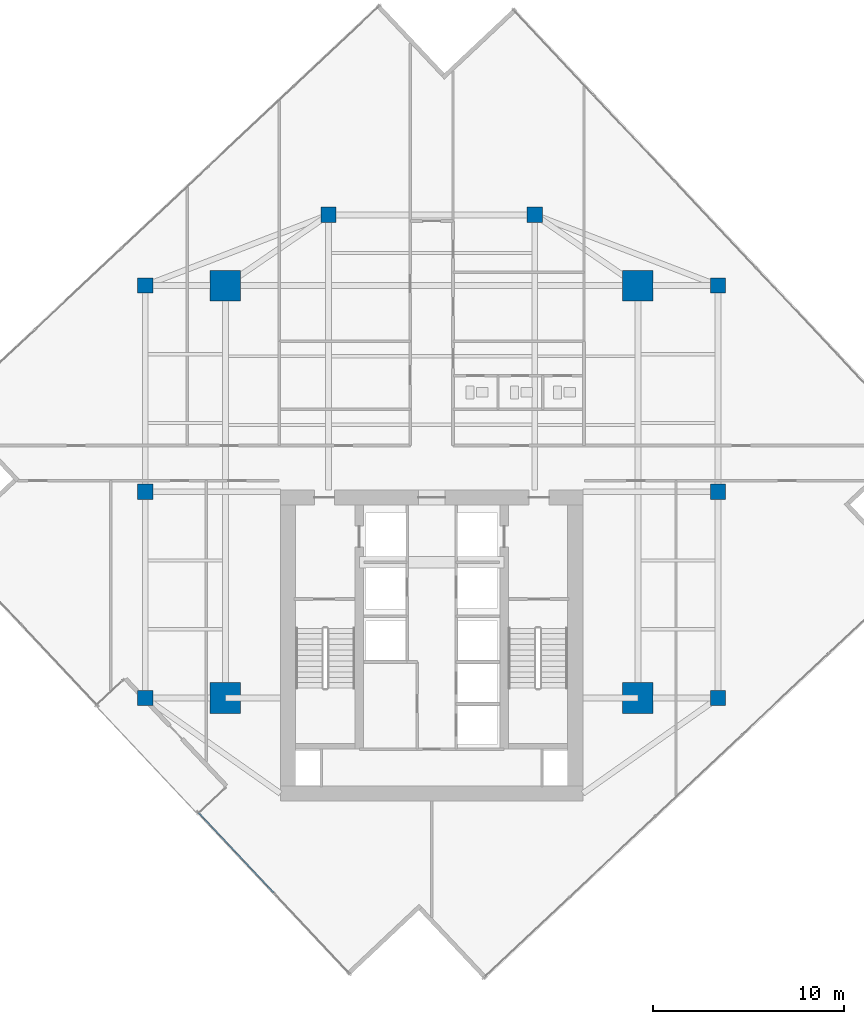
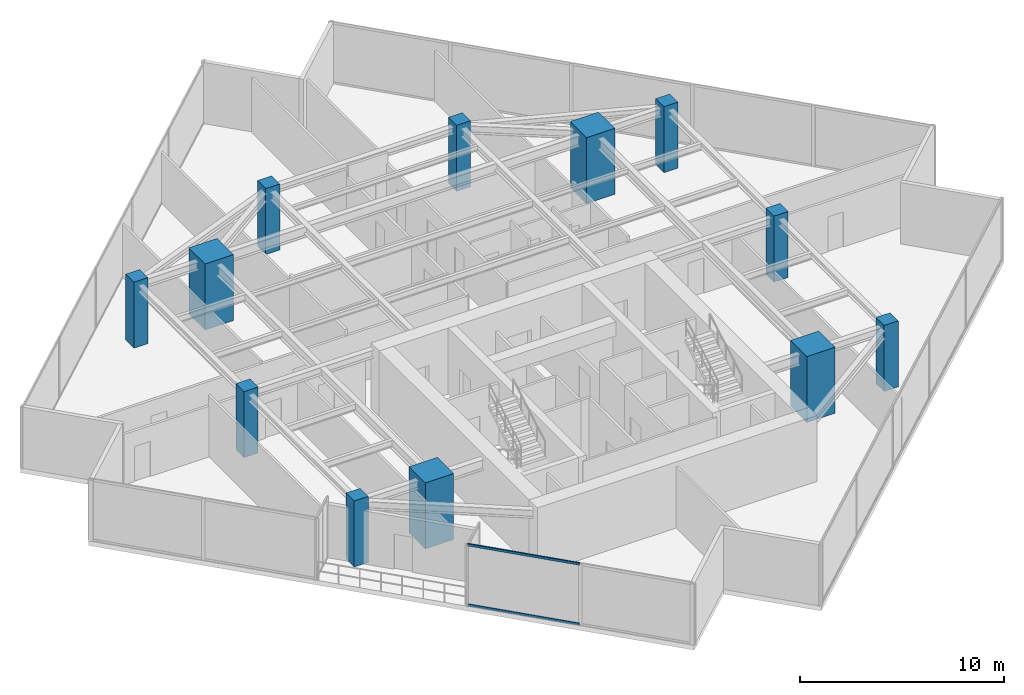
# One storey, part 1 of 24: 12 columns, 2 members, 1 element without a shape of its own.
"""IFC4 building model written with IfcOpenShell, lengths in metres."""

from ifc_helpers import new_model, si_unit, direction, frame, origin, origin_2d, place, context, subcontext, project, spatial, rectangle, hollow_rectangle, extrude, source, transform, mapped, material, material_profile, profile_set, type_object, type_shapes, element, aggregate, save


model = new_model("IFC4")

# Units and contexts
model_context = context("Model", 3, precision=1e-05, world=origin(), true_north=direction((0.0, 1.0)))
body_context = subcontext(model_context, "Body", "Model", "MODEL_VIEW")
ifc_project = project(units=[si_unit("LENGTHUNIT", "METRE"), si_unit("AREAUNIT", "SQUARE_METRE"), si_unit("VOLUMEUNIT", "CUBIC_METRE"), si_unit("PLANEANGLEUNIT", "RADIAN"), si_unit("MASSUNIT", "GRAM", prefix="KILO")], contexts=[model_context])

# Site, building, storey
site_placement = place(None, origin())
site = spatial("IfcSite", under=ifc_project, at=site_placement, CompositionType="ELEMENT")
building_placement = place(site_placement, origin())
building = spatial("IfcBuilding", under=site, at=building_placement, Name="Krantzveldt Concourse Tower", CompositionType="ELEMENT")
storey_placement = place(building_placement, frame((0.0, 0.0, 242.85009765625)))
storey = spatial("IfcBuildingStorey", under=building, at=storey_placement, Name="L59", CompositionType="ELEMENT", Elevation=242.85009765625)

# Columns
ifc_material_1 = material(Name="Concrete C50/60", Category="concrete")
ifc_material_profile_1 = material_profile(ifc_material_1, rectangle(XDim=1.60009765625, YDim=1.60009765625, at=origin_2d()), Name="Concrete C50/60", Category="concrete")
ifc_profile_set_1 = profile_set([ifc_material_profile_1], Name="Concrete C50/60 - RC 1600x1600")
column_type_1 = type_object("IfcColumnType", Name="COL-MC-1600", PredefinedType="USERDEFINED", material=ifc_profile_set_1)
shared_shape_1 = source(origin(), body_context, "Body", "SweptSolid", [
    extrude(rectangle(XDim=1.60009765625, YDim=1.60009765625, at=origin_2d()), origin(), (0.0, 0.0, 1.0), 3.949951171875),
])
type_shapes(column_type_1, [shared_shape_1])
for number, where, z_axis, x_axis, name in (
    (1, (25.199951171875, 15.89990234375, 0.0), (0.0, 0.0, 1.0), (1.0, 0.0, 0.0), "MC-SW-L59"),
    (2, (46.800048828125, 15.89990234375, 0.0), (0.0, 0.0, 1.0), (1.0, 0.0, 0.0), "MC-SE-L59"),
    (3, (46.800048828125, 37.5, 0.0), (0.0, 0.0, 1.0), (1.0, 0.0, 0.0), "MC-NE-L59"),
    (4, (25.199951171875, 37.5, 0.0), (0.0, 0.0, 1.0), (1.0, 0.0, 0.0), "MC-NW-L59"),
):
    element("IfcColumn", number, at=place(storey_placement, frame(where, z_axis=z_axis, x_axis=x_axis)), inside=storey, type_object=column_type_1, Name=name, ObjectType="MEGA COLUMN", PredefinedType="USERDEFINED", context=body_context, shape_type="MappedRepresentation", body=[
        mapped(shared_shape_1, transform((0.0, 0.0, 0.0), x_axis=(1.0, 0.0, 0.0), y_axis=(0.0, 1.0, 0.0), z_axis=(0.0, 0.0, 1.0), scale=1.0)),
    ])
ifc_material_profile_2 = material_profile(ifc_material_1, rectangle(XDim=0.800048828125, YDim=0.800048828125, at=origin_2d()), Name="Concrete C50/60", Category="concrete")
ifc_profile_set_2 = profile_set([ifc_material_profile_2], Name="Concrete C50/60 - RC 800x800")
column_type_2 = type_object("IfcColumnType", Name="COL-C-Z4", PredefinedType="COLUMN", material=ifc_profile_set_2)
shared_shape_2 = source(origin(), body_context, "Body", "SweptSolid", [
    extrude(rectangle(XDim=0.800048828125, YDim=0.800048828125, at=origin_2d()), origin(), (0.0, 0.0, 1.0), 3.949951171875),
])
type_shapes(column_type_2, [shared_shape_2])
for number, where, z_axis, x_axis, name in (
    (5, (21.0, 15.89990234375, 0.0), (0.0, 0.0, 1.0), (1.0, 0.0, 0.0), "PC-R01-L59"),
    (6, (21.0, 26.699951171875, 0.0), (0.0, 0.0, 1.0), (1.0, 0.0, 0.0), "PC-R02-L59"),
    (7, (21.0, 37.5, 0.0), (0.0, 0.0, 1.0), (1.0, 0.0, 0.0), "PC-R03-L59"),
    (8, (30.60009765625, 41.199951171875, 0.0), (0.0, 0.0, 1.0), (1.0, 0.0, 0.0), "PC-R04-L59"),
    (9, (41.39990234375, 41.199951171875, 0.0), (0.0, 0.0, 1.0), (1.0, 0.0, 0.0), "PC-R05-L59"),
    (10, (51.0, 37.5, 0.0), (0.0, 0.0, 1.0), (1.0, 0.0, 0.0), "PC-R06-L59"),
    (11, (51.0, 26.699951171875, 0.0), (0.0, 0.0, 1.0), (1.0, 0.0, 0.0), "PC-R07-L59"),
    (12, (51.0, 15.89990234375, 0.0), (0.0, 0.0, 1.0), (1.0, 0.0, 0.0), "PC-R08-L59"),
):
    element("IfcColumn", number, at=place(storey_placement, frame(where, z_axis=z_axis, x_axis=x_axis)), inside=storey, type_object=column_type_2, Name=name, PredefinedType="COLUMN", context=body_context, shape_type="MappedRepresentation", body=[
        mapped(shared_shape_2, transform((0.0, 0.0, 0.0), x_axis=(1.0, 0.0, 0.0), y_axis=(0.0, 1.0, 0.0), z_axis=(0.0, 0.0, 1.0), scale=1.0)),
    ])

# Curtain wall, members
ifc_material_2 = material(Name="Anodised aluminium 6063-T6", Category="aluminium")
curtain_wall_type = type_object("IfcCurtainWallType", Name="CW3", PredefinedType="USERDEFINED", material=ifc_material_2)
curtain_wall_placement = place(storey_placement, origin())
curtain_wall = element("IfcCurtainWall", 13, at=curtain_wall_placement, inside=storey, type_object=curtain_wall_type, Name="CW-L59-F08", ObjectType="UNITISED CURTAIN WALL", PredefinedType="USERDEFINED")
ifc_material_profile_3 = material_profile(ifc_material_2, hollow_rectangle(XDim=0.070068359375, YDim=0.139892578125, WallThickness=0.0048828125, at=origin_2d()), Name="Anodised aluminium 6063-T6", Category="aluminium")
ifc_profile_set_3 = profile_set([ifc_material_profile_3], Name="Anodised aluminium 6063-T6 - ALU-TRAN 140x70x5")
member_type = type_object("IfcMemberType", Name="CW-TRN-150", PredefinedType="USERDEFINED", material=ifc_profile_set_3)
shared_shape_3 = source(origin(), body_context, "Body", "SweptSolid", [
    extrude(hollow_rectangle(XDim=0.070068359375, YDim=0.139892578125, WallThickness=0.0048828125, at=origin_2d()), origin(), (0.0, 0.0, 1.0), 5.744873046875),
])
type_shapes(member_type, [shared_shape_3])
member_1_placement = place(storey_placement, frame((23.78564453125, 9.896728515625, 0.034912109375), z_axis=(0.685167163665, -0.728385857795, 0.0), x_axis=(0.728385857795, 0.685167163665, 0.0)))
member_1 = element("IfcMember", 14, at=member_1_placement, type_object=member_type, Name="CW-Z34 transom 1.1", ObjectType="TRANSOM", PredefinedType="USERDEFINED", context=body_context, shape_type="MappedRepresentation", body=[
    mapped(shared_shape_3, transform((0.0, 0.0, 0.0), x_axis=(1.0, 0.0, 0.0), y_axis=(0.0, 1.0, 0.0), z_axis=(0.0, 0.0, 1.0), scale=1.0)),
])
member_2_placement = place(storey_placement, frame((23.78564453125, 9.896728515625, 3.635009765625), z_axis=(0.685167163665, -0.728385857795, 0.0), x_axis=(0.728385857795, 0.685167163665, 0.0)))
member_2 = element("IfcMember", 15, at=member_2_placement, type_object=member_type, Name="CW-Z34 transom 1.2", ObjectType="TRANSOM", PredefinedType="USERDEFINED", context=body_context, shape_type="MappedRepresentation", body=[
    mapped(shared_shape_3, transform((0.0, 0.0, 0.0), x_axis=(1.0, 0.0, 0.0), y_axis=(0.0, 1.0, 0.0), z_axis=(0.0, 0.0, 1.0), scale=1.0)),
])
aggregate(curtain_wall, [member_1, member_2])

save(model, "model.ifc")
